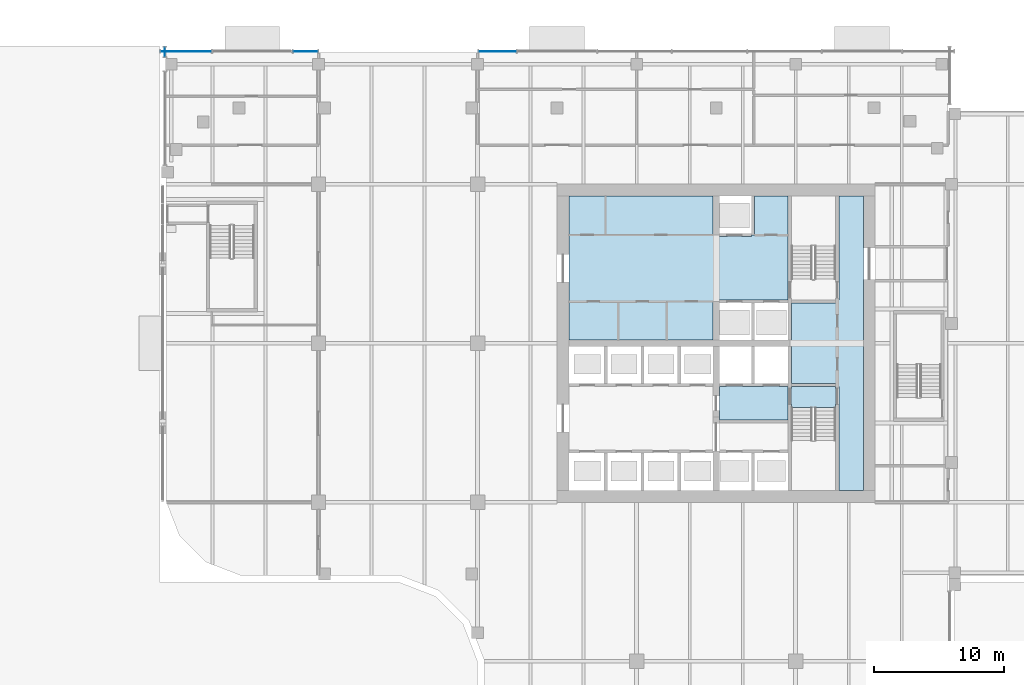
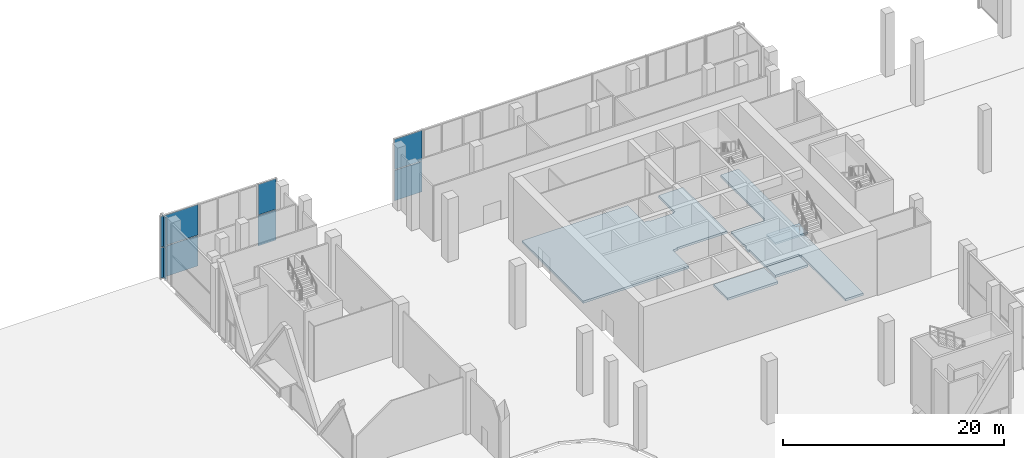
# One storey, part 14 of 36: 8 plates, 5 slabs, 5 elements without a shape of their own.
"""IFC4 building model written with IfcOpenShell, lengths in metres."""

import ifcopenshell
import ifcopenshell.guid

model = None  # the IFC model being written
_history = None  # IfcOwnerHistory: only IFC2X3 demands one
_inside = {}  # id of a spatial element -> (the spatial element, [elements in it])
_under = {}  # id of a project, library or spatial element -> (it, [spatial elements below it])
_declared = {}  # id of a project -> (the project, [libraries it declares])
_typed = {}  # id of a type object -> (the type object, [elements of that type])
_made_of = {}  # id of a material, layer set ... -> (it, [elements and type objects made of it])


def new_model(schema):
    """Start an empty IFC model of exactly this schema.

    Asked for "IFC4X3", IfcOpenShell would pick the latest addendum, in which some entities
    have other attributes; the version numbers below select the first issue.
    IFC2X3 requires an IfcOwnerHistory on every rooted entity: one is made here for all.
    """
    global model, _history
    if schema == "IFC4X3":
        model = ifcopenshell.file(schema_version=(4, 3, 0, 0))
    else:
        model = ifcopenshell.file(schema=schema)
    _inside.clear()
    _under.clear()
    _declared.clear()
    _typed.clear()
    _made_of.clear()
    _history = None
    if model.schema == "IFC2X3":
        org = make("IfcOrganization", Name="unknown")
        user = make(
            "IfcPersonAndOrganization",
            ThePerson=make("IfcPerson", FamilyName="unknown"),
            TheOrganization=org,
        )
        app = make(
            "IfcApplication",
            ApplicationDeveloper=org,
            Version="unknown",
            ApplicationFullName="unknown",
            ApplicationIdentifier="unknown",
        )
        _history = make(
            "IfcOwnerHistory",
            OwningUser=user,
            OwningApplication=app,
            ChangeAction="ADDED",
            CreationDate=0,
        )
    return model


def make(cls, **values):
    """One entity of the class cls with the attributes given. An attribute that is None is left unset."""
    return model.create_entity(
        cls, **{name: value for name, value in values.items() if value is not None}
    )


def rooted(cls, **values):
    """An entity with a GlobalId (a new one), such as an element, a storey or a relation."""
    return make(cls, GlobalId=ifcopenshell.guid.new(), OwnerHistory=_history, **values)


def si_unit(unit_type, name, prefix=None):
    """IfcSIUnit, for example si_unit("LENGTHUNIT", "METRE", prefix="MILLI")."""
    return make("IfcSIUnit", UnitType=unit_type, Prefix=prefix, Name=name)


def assignment(units):
    """IfcUnitAssignment: the units of a project."""
    return None if units is None else make("IfcUnitAssignment", Units=units)


def point(xyz):
    """IfcCartesianPoint."""
    return None if xyz is None else make("IfcCartesianPoint", Coordinates=xyz)


def direction(xyz):
    """IfcDirection."""
    return None if xyz is None else make("IfcDirection", DirectionRatios=xyz)


def frame(location, z_axis=None, x_axis=None):
    """IfcAxis2Placement3D, a coordinate frame: its origin and axes. An axis left out is left unset."""
    return make(
        "IfcAxis2Placement3D",
        Location=point(location),
        Axis=direction(z_axis),
        RefDirection=direction(x_axis),
    )


def frame_2d(location, x_axis=None):
    """IfcAxis2Placement2D, a coordinate frame in the plane: its origin and x axis."""
    return make(
        "IfcAxis2Placement2D", Location=point(location), RefDirection=direction(x_axis)
    )


def origin():
    """The frame at (0, 0, 0) with its axes left unset."""
    return frame((0.0, 0.0, 0.0))


def origin_2d():
    """The frame at (0, 0) in the plane with its x axis left unset."""
    return frame_2d((0.0, 0.0))


def place(relative_to, where):
    """IfcLocalPlacement: puts the frame where relative to a parent placement (None: the world)."""
    return make(
        "IfcLocalPlacement", PlacementRelTo=relative_to, RelativePlacement=where
    )


def context(
    kind, dimensions, precision=None, world=None, true_north=None, identifier=None
):
    """IfcGeometricRepresentationContext, for example the 3D "Model" context."""
    return make(
        "IfcGeometricRepresentationContext",
        ContextIdentifier=identifier,
        ContextType=kind,
        CoordinateSpaceDimension=dimensions,
        Precision=precision,
        WorldCoordinateSystem=world,
        TrueNorth=true_north,
    )


def subcontext(parent, identifier, kind, view, scale=None):
    """IfcGeometricRepresentationSubContext, for example "Body" below "Model"."""
    return make(
        "IfcGeometricRepresentationSubContext",
        ContextIdentifier=identifier,
        ContextType=kind,
        ParentContext=parent,
        TargetScale=scale,
        TargetView=view,
    )


def project(units=None, contexts=None):
    """IfcProject with its units and contexts."""
    return rooted(
        "IfcProject",
        Name="project",
        RepresentationContexts=contexts,
        UnitsInContext=assignment(units),
    )


def spatial(cls, under=None, at=None, **own):
    """A site, building, storey or space (cls), placed at a placement, below another one or the project."""
    s = rooted(cls, ObjectPlacement=at, **own)
    if under is not None:
        _under.setdefault(under.id(), (under, []))[1].append(s)
    return s


def polyline(points):
    """IfcPolyline through the points."""
    return make("IfcPolyline", Points=[point(p) for p in points])


def profile(cls, at=None, kind="AREA", **sizes):
    """A parametric profile (cls). Its sizes go by their IFC names, for example OverallWidth=200.0."""
    return make(cls, ProfileType=kind, Position=at, **sizes)


def rectangle(**sizes):
    """IfcRectangleProfileDef."""
    return profile("IfcRectangleProfileDef", **sizes)


def outline(outer, holes=None, kind="AREA"):
    """IfcArbitraryClosedProfileDef: a profile drawn as a closed curve; with holes, ...WithVoids."""
    if holes is None:
        return make("IfcArbitraryClosedProfileDef", ProfileType=kind, OuterCurve=outer)
    return make(
        "IfcArbitraryProfileDefWithVoids",
        ProfileType=kind,
        OuterCurve=outer,
        InnerCurves=holes,
    )


def extrude(swept, where, along, depth):
    """IfcExtrudedAreaSolid: the profile swept, set in the frame where, extruded along a direction by depth."""
    return make(
        "IfcExtrudedAreaSolid",
        SweptArea=swept,
        Position=where,
        ExtrudedDirection=direction(along),
        Depth=depth,
    )


def shape(context_of_items, identifier, shape_type, items):
    """IfcShapeRepresentation: the items that make up one representation, for example the "Body"."""
    return make(
        "IfcShapeRepresentation",
        ContextOfItems=context_of_items,
        RepresentationIdentifier=identifier,
        RepresentationType=shape_type,
        Items=items,
    )


def material(Name=None, Category=None):
    """IfcMaterial."""
    return make("IfcMaterial", Name=Name, Category=Category)


def layer(
    of_material, thickness, ventilated=None, Name=None, Category=None, Priority=None
):
    """IfcMaterialLayer: one layer of a wall or slab, of a material (None: an air gap)."""
    return make(
        "IfcMaterialLayer",
        Material=of_material,
        LayerThickness=thickness,
        IsVentilated=ventilated,
        Name=Name,
        Category=Category,
        Priority=Priority,
    )


def layer_set(layers, Name=None):
    """IfcMaterialLayerSet."""
    return make("IfcMaterialLayerSet", MaterialLayers=layers, LayerSetName=Name)


def made_of(thing, what):
    """Note that an element or type object is made of a material, layer set ...; save() writes the relation."""
    if what is not None:
        _made_of.setdefault(what.id(), (what, []))[1].append(thing)
    return thing


def type_object(cls, material=None, **own):
    """A type object (cls), such as IfcWallType, which elements share."""
    return made_of(rooted(cls, **own), material)


def element(
    cls,
    number,
    at=None,
    inside=None,
    cuts=None,
    type_object=None,
    material=None,
    context=None,
    identifier="Body",
    shape_type=None,
    held_by="IfcProductDefinitionShape",
    body=None,
    shapes=None,
    **own,
):
    """One element of the class cls, such as IfcWall. Its Tag is "e" and its number.

    at: its placement. inside: the storey or other place that contains it. cuts: it is an
    opening in that element (IfcRelVoidsElement). A single representation is given by context,
    identifier, shape_type and body (its items); several are given by shapes. held_by: the class
    of the entity that holds the representations. save() writes the other relations.
    """
    e = rooted(cls, Tag="e%d" % number, ObjectPlacement=at, **own)
    if body is not None:
        shapes = [shape(context, identifier, shape_type, body)]
    if shapes is not None:
        e.Representation = make(held_by, Representations=shapes)
    if inside is not None:
        _inside.setdefault(inside.id(), (inside, []))[1].append(e)
    if cuts is not None:
        rooted(
            "IfcRelVoidsElement", RelatingBuildingElement=cuts, RelatedOpeningElement=e
        )
    if type_object is not None:
        _typed.setdefault(type_object.id(), (type_object, []))[1].append(e)
    return made_of(e, material)


def aggregate(whole, parts):
    """IfcRelAggregates: a whole, such as a stair, and the parts it consists of."""
    return rooted("IfcRelAggregates", RelatingObject=whole, RelatedObjects=parts)


def save(model, path):
    """Write the relations noted so far, then the file.

    IfcRelAggregates (storeys below a building ...), IfcRelContainedInSpatialStructure (elements
    in a storey), IfcRelDefinesByType, IfcRelAssociatesMaterial and IfcRelDeclares: one each for
    every whole, place, type object, material and project.
    """
    for whole, parts in _under.values():
        aggregate(whole, parts)
    for where, things in _inside.values():
        rooted(
            "IfcRelContainedInSpatialStructure",
            RelatedElements=things,
            RelatingStructure=where,
        )
    for kind, things in _typed.values():
        rooted("IfcRelDefinesByType", RelatedObjects=things, RelatingType=kind)
    for what, things in _made_of.values():
        rooted("IfcRelAssociatesMaterial", RelatedObjects=things, RelatingMaterial=what)
    for by, libraries in _declared.values():
        rooted("IfcRelDeclares", RelatingContext=by, RelatedDefinitions=libraries)
    model.write(path)


model = new_model("IFC4")

# Units and contexts
model_context = context("Model", 3, precision=1e-05, world=origin(), true_north=direction((0.0, 1.0)))
body_context = subcontext(model_context, "Body", "Model", "MODEL_VIEW")
ifc_project = project(units=[si_unit("LENGTHUNIT", "METRE"), si_unit("AREAUNIT", "SQUARE_METRE"), si_unit("VOLUMEUNIT", "CUBIC_METRE"), si_unit("PLANEANGLEUNIT", "RADIAN"), si_unit("MASSUNIT", "GRAM", prefix="KILO")], contexts=[model_context])

# Site, building, storey
site_placement = place(None, origin())
site = spatial("IfcSite", under=ifc_project, at=site_placement, CompositionType="ELEMENT")
building_placement = place(site_placement, origin())
building = spatial("IfcBuilding", under=site, at=building_placement, Name="Tessera Gate Towers", CompositionType="ELEMENT")
storey_placement = place(building_placement, origin())
storey = spatial("IfcBuildingStorey", under=building, at=storey_placement, Name="L00", CompositionType="ELEMENT", Elevation=0.0)

# Slabs
ifc_material_1 = material(Name="Concrete C35/45", Category="concrete")
ifc_layer_1 = layer(ifc_material_1, 0.25)
ifc_layer_set_1 = layer_set([ifc_layer_1], Name="CORE FLOOR SLAB 250")
slab_type_1 = type_object("IfcSlabType", Name="CORE FLOOR SLAB 250", PredefinedType="FLOOR", material=ifc_layer_set_1)
slab_1_placement = place(storey_placement, frame((0.0, 0.0, -0.25)))
element("IfcSlab", 1, at=slab_1_placement, inside=storey, type_object=slab_type_1, Name="L00 core floor slab", PredefinedType="FLOOR", context=body_context, shape_type="SweptSolid", body=[
    extrude(outline(polyline([(31.39990234375, 47.89990234375), (31.39990234375, 36.85009765625), (42.449951171875, 36.85009765625), (42.449951171875, 39.800048828125), (42.949951171875, 39.800048828125), (42.949951171875, 39.925048828125), (48.22509765625, 39.925048828125), (48.22509765625, 47.89990234375), (45.64990234375, 47.89990234375), (45.64990234375, 44.89990234375), (45.39990234375, 44.89990234375), (45.39990234375, 44.77490234375), (42.949951171875, 44.77490234375), (42.949951171875, 44.89990234375), (42.449951171875, 44.89990234375), (42.449951171875, 47.89990234375), (31.39990234375, 47.89990234375)])), origin(), (0.0, 0.0, 1.0), 0.25),
])
slab_2_placement = place(storey_placement, frame((0.0, 0.0, -0.25)))
element("IfcSlab", 2, at=slab_2_placement, inside=storey, type_object=slab_type_1, Name="L00 core floor slab", PredefinedType="FLOOR", context=body_context, shape_type="SweptSolid", body=[
    extrude(outline(polyline([(48.35009765625, 36.85009765625), (48.35009765625, 36.35009765625), (48.47509765625, 36.35009765625), (48.47509765625, 33.52490234375), (52.0, 33.52490234375), (52.0, 33.27490234375), (52.125, 33.27490234375), (52.125, 25.300048828125), (54.0, 25.300048828125), (54.0, 47.89990234375), (52.125, 47.89990234375), (52.125, 39.925048828125), (52.0, 39.925048828125), (52.0, 39.675048828125), (48.47509765625, 39.675048828125), (48.47509765625, 36.85009765625), (48.35009765625, 36.85009765625)])), origin(), (0.0, 0.0, 1.0), 0.25),
])
slab_3_placement = place(storey_placement, frame((0.0, 0.0, -0.25)))
element("IfcSlab", 3, at=slab_3_placement, inside=storey, type_object=slab_type_1, Name="L00 core floor slab", PredefinedType="FLOOR", context=body_context, shape_type="SweptSolid", body=[
    extrude(outline(polyline([(42.949951171875, 33.27490234375), (42.949951171875, 30.72509765625), (48.22509765625, 30.72509765625), (48.22509765625, 33.27490234375), (42.949951171875, 33.27490234375)])), origin(), (0.0, 0.0, 1.0), 0.25),
])
slab_4_placement = place(storey_placement, frame((0.0, 0.0, -0.25)))
element("IfcSlab", 4, at=slab_4_placement, inside=storey, type_object=slab_type_1, Name="L00 core floor slab", PredefinedType="FLOOR", context=body_context, shape_type="SweptSolid", body=[
    extrude(outline(polyline([(51.875, 31.675048828125), (51.875, 33.27490234375), (48.47509765625, 33.27490234375), (48.47509765625, 31.675048828125), (51.875, 31.675048828125)])), origin(), (0.0, 0.0, 1.0), 0.25),
])

# Stair, slab
ifc_material_2 = material(Name="Concrete C40/50", Category="concrete")
stair_type = type_object("IfcStairType", Name="EXIT STAIR ST1E 1600", PredefinedType="HALF_TURN_STAIR", material=ifc_material_2)
stair_placement = place(storey_placement, origin())
stair = element("IfcStair", 5, at=stair_placement, inside=storey, type_object=stair_type, Name="L00 Protected Exit Stair ST1", PredefinedType="HALF_TURN_STAIR")
ifc_material_3 = material(Name="Concrete C40/50", Category="concrete")
ifc_layer_2 = layer(ifc_material_3, 0.199951171875)
ifc_layer_set_2 = layer_set([ifc_layer_2], Name="EXIT STAIR LANDING 200")
slab_type_2 = type_object("IfcSlabType", Name="EXIT STAIR LANDING 200", PredefinedType="LANDING", material=ifc_layer_set_2)
slab_5_placement = place(storey_placement, frame((0.0, 0.0, 3.39990234375)))
slab_5 = element("IfcSlab", 6, at=slab_5_placement, type_object=slab_type_2, Name="ST1 landing 2", PredefinedType="LANDING", context=body_context, shape_type="SweptSolid", body=[
    extrude(outline(polyline([(48.47509765625, 33.27490234375), (48.47509765625, 31.675048828125), (51.875, 31.675048828125), (51.875, 33.27490234375), (48.47509765625, 33.27490234375)])), origin(), (0.0, 0.0, 1.0), 0.2001953125),
])
aggregate(stair, [slab_5])

# Curtain wall, plates
ifc_material_4 = material(Name="Aluminium frame", Category="aluminium")
curtain_wall_type = type_object("IfcCurtainWallType", Name="CW-S6 ground floor glazing", PredefinedType="NOTDEFINED", material=ifc_material_4)
curtain_wall_1_placement = place(storey_placement, origin())
curtain_wall_1 = element("IfcCurtainWall", 7, at=curtain_wall_1_placement, inside=storey, type_object=curtain_wall_type, Name="Curtain wall ground floor glazing 0206", PredefinedType="NOTDEFINED")
ifc_material_5 = material(Name="Low-e laminated glass", Category="glass")
ifc_layer_3 = layer(ifc_material_5, 0.035888671875)
ifc_layer_set_3 = layer_set([ifc_layer_3], Name="PN-S6 glass panel 36")
plate_type = type_object("IfcPlateType", Name="PN-S6 glass panel 36", PredefinedType="CURTAIN_PANEL", material=ifc_layer_set_3)
plate_1_placement = place(storey_placement, frame((25.925048828125, 59.0, 0.080078125), z_axis=(0.0, 0.0, 1.0), x_axis=(-1.0, 0.0, 0.0)))
plate_1 = element("IfcPlate", 8, at=plate_1_placement, type_object=plate_type, Name="PD-CW6-0206 panel 1.1", PredefinedType="CURTAIN_PANEL", context=body_context, shape_type="SweptSolid", body=[
    extrude(rectangle(XDim=2.889892578125, YDim=0.035888671875, at=origin_2d()), origin(), (0.0, 0.0, 1.0), 3.35498046875),
])
plate_2_placement = place(storey_placement, frame((25.925048828125, 59.0, 3.514892578125), z_axis=(0.0, 0.0, 1.0), x_axis=(-1.0, 0.0, 0.0)))
plate_2 = element("IfcPlate", 9, at=plate_2_placement, type_object=plate_type, Name="PD-CW6-0206 panel 1.2", PredefinedType="CURTAIN_PANEL", context=body_context, shape_type="SweptSolid", body=[
    extrude(rectangle(XDim=2.889892578125, YDim=0.035888671875, at=origin_2d()), origin(), (0.0, 0.0, 1.0), 3.35498046875),
])
aggregate(curtain_wall_1, [plate_1, plate_2])

curtain_wall_2_placement = place(storey_placement, origin())
curtain_wall_2 = element("IfcCurtainWall", 10, at=curtain_wall_2_placement, inside=storey, type_object=curtain_wall_type, Name="Curtain wall ground floor glazing 0207", PredefinedType="NOTDEFINED")
plate_3_placement = place(storey_placement, frame((11.183349609375, 59.0, 0.080078125), z_axis=(0.0, 0.0, 1.0), x_axis=(-1.0, 0.0, 0.0)))
plate_3 = element("IfcPlate", 11, at=plate_3_placement, type_object=plate_type, Name="PD-CW6-0207 panel 1.1", PredefinedType="CURTAIN_PANEL", context=body_context, shape_type="SweptSolid", body=[
    extrude(rectangle(XDim=1.873291015625, YDim=0.035888671875, at=origin_2d()), origin(), (0.0, 0.0, 1.0), 3.35498046875),
])
plate_4_placement = place(storey_placement, frame((11.183349609375, 59.0, 3.514892578125), z_axis=(0.0, 0.0, 1.0), x_axis=(-1.0, 0.0, 0.0)))
plate_4 = element("IfcPlate", 12, at=plate_4_placement, type_object=plate_type, Name="PD-CW6-0207 panel 1.2", PredefinedType="CURTAIN_PANEL", context=body_context, shape_type="SweptSolid", body=[
    extrude(rectangle(XDim=1.873291015625, YDim=0.035888671875, at=origin_2d()), origin(), (0.0, 0.0, 1.0), 3.35498046875),
])
aggregate(curtain_wall_2, [plate_3, plate_4])

curtain_wall_3_placement = place(storey_placement, origin())
curtain_wall_3 = element("IfcCurtainWall", 13, at=curtain_wall_3_placement, inside=storey, type_object=curtain_wall_type, Name="Curtain wall ground floor glazing 0208", PredefinedType="NOTDEFINED")
plate_5_placement = place(storey_placement, frame((2.033447265625, 59.0, 0.080078125), z_axis=(0.0, 0.0, 1.0), x_axis=(-1.0, 0.0, 0.0)))
plate_5 = element("IfcPlate", 14, at=plate_5_placement, type_object=plate_type, Name="PD-CW6-0208 panel 1.1", PredefinedType="CURTAIN_PANEL", context=body_context, shape_type="SweptSolid", body=[
    extrude(rectangle(XDim=3.90673828125, YDim=0.035888671875, at=origin_2d()), origin(), (0.0, 0.0, 1.0), 3.35498046875),
])
plate_6_placement = place(storey_placement, frame((2.033447265625, 59.0, 3.514892578125), z_axis=(0.0, 0.0, 1.0), x_axis=(-1.0, 0.0, 0.0)))
plate_6 = element("IfcPlate", 15, at=plate_6_placement, type_object=plate_type, Name="PD-CW6-0208 panel 1.2", PredefinedType="CURTAIN_PANEL", context=body_context, shape_type="SweptSolid", body=[
    extrude(rectangle(XDim=3.90673828125, YDim=0.035888671875, at=origin_2d()), origin(), (0.0, 0.0, 1.0), 3.35498046875),
])
aggregate(curtain_wall_3, [plate_5, plate_6])

curtain_wall_4_placement = place(storey_placement, origin())
curtain_wall_4 = element("IfcCurtainWall", 16, at=curtain_wall_4_placement, inside=storey, type_object=curtain_wall_type, Name="Curtain wall ground floor glazing 0212", PredefinedType="NOTDEFINED")
plate_7_placement = place(storey_placement, frame((0.39990234375, 58.945068359375, 0.080078125), z_axis=(0.0, 0.0, 1.0), x_axis=(0.0, -1.0, 0.0)))
plate_7 = element("IfcPlate", 17, at=plate_7_placement, type_object=plate_type, Name="PD-CW6-0212 panel 1.1", PredefinedType="CURTAIN_PANEL", context=body_context, shape_type="SweptSolid", body=[
    extrude(rectangle(XDim=0.75, YDim=0.035888671875, at=origin_2d()), origin(), (0.0, 0.0, 1.0), 3.35498046875),
])
plate_8_placement = place(storey_placement, frame((0.39990234375, 58.945068359375, 3.514892578125), z_axis=(0.0, 0.0, 1.0), x_axis=(0.0, -1.0, 0.0)))
plate_8 = element("IfcPlate", 18, at=plate_8_placement, type_object=plate_type, Name="PD-CW6-0212 panel 1.2", PredefinedType="CURTAIN_PANEL", context=body_context, shape_type="SweptSolid", body=[
    extrude(rectangle(XDim=0.75, YDim=0.035888671875, at=origin_2d()), origin(), (0.0, 0.0, 1.0), 3.35498046875),
])
aggregate(curtain_wall_4, [plate_7, plate_8])

save(model, "model.ifc")
